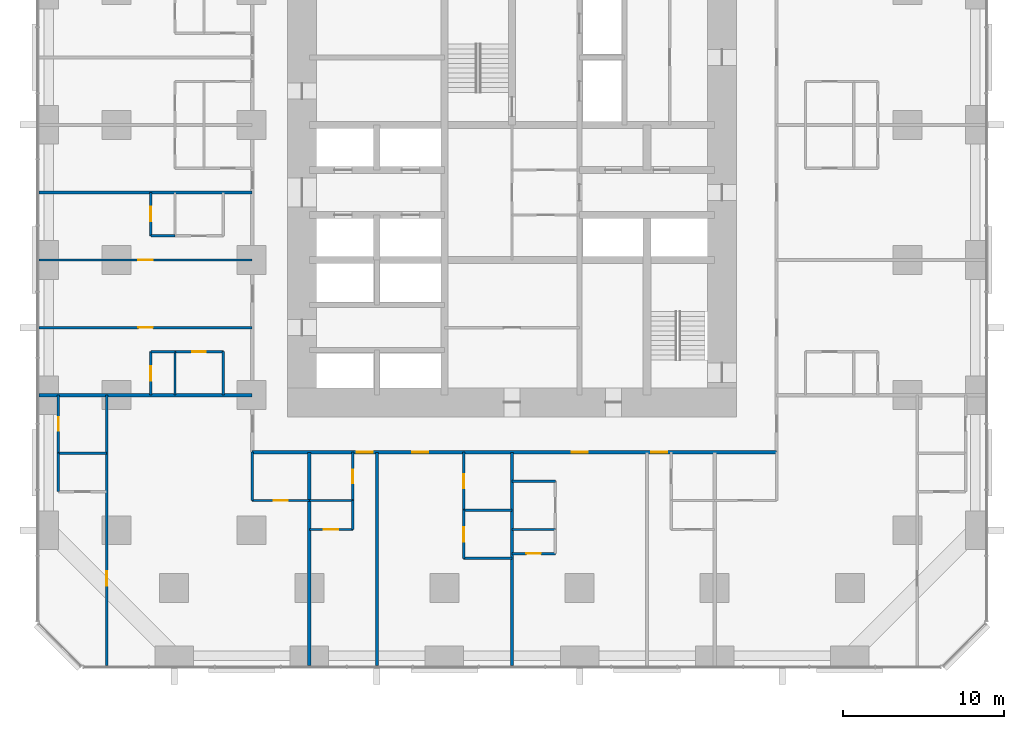
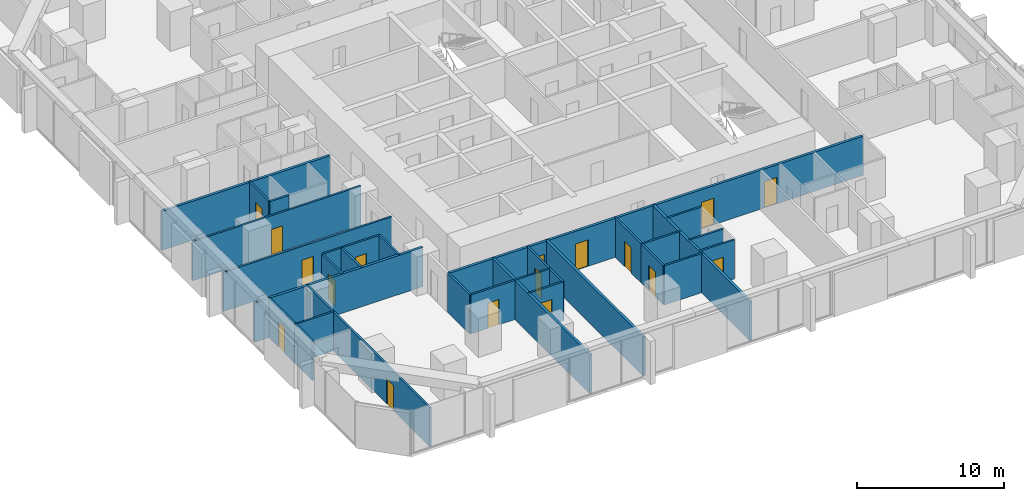
# One storey, part 11 of 17: 32 walls, 17 doors, 17 openings.
"""IFC4 building model written with IfcOpenShell, lengths in metres."""

from ifc_helpers import new_model, si_unit, direction, frame, frame_2d, origin, place, context, subcontext, project, spatial, rectangle, extrude, material, layer, layer_set, type_object, element, fill, save


model = new_model("IFC4")

# Units and contexts
model_context = context("Model", 3, precision=1e-05, world=origin(), true_north=direction((0.0, 1.0)))
body_context = subcontext(model_context, "Body", "Model", "MODEL_VIEW")
ifc_project = project(units=[si_unit("LENGTHUNIT", "METRE"), si_unit("AREAUNIT", "SQUARE_METRE"), si_unit("VOLUMEUNIT", "CUBIC_METRE"), si_unit("PLANEANGLEUNIT", "RADIAN"), si_unit("MASSUNIT", "GRAM", prefix="KILO")], contexts=[model_context])

# Site, building, storey
site_placement = place(None, origin())
site = spatial("IfcSite", under=ifc_project, at=site_placement, CompositionType="ELEMENT")
building_placement = place(site_placement, origin())
building = spatial("IfcBuilding", under=site, at=building_placement, Name="Dunama Terrace Hotel", CompositionType="ELEMENT")
storey_placement = place(building_placement, frame((0.0, 0.0, 37.800048828125)))
storey = spatial("IfcBuildingStorey", under=building, at=storey_placement, Name="L08", CompositionType="ELEMENT", Elevation=37.800048828125)

# Wall, opening, door
ifc_material_1 = material(Name="Gypsum board partition", Category="masonry")
ifc_layer_1 = layer(ifc_material_1, 0.14990234375)
ifc_layer_set_1 = layer_set([ifc_layer_1], Name="Bathroom partition 150")
wall_type_1 = type_object("IfcWallType", Name="Bathroom partition 150", PredefinedType="PARTITIONING", material=ifc_layer_set_1)
wall_1_placement = place(storey_placement, frame((1.199951171875, 13.199951171875, 0.0), z_axis=(0.0, 0.0, 1.0), x_axis=(0.0, 1.0, 0.0)))
wall_1 = element("IfcWall", 1, at=wall_1_placement, inside=storey, type_object=wall_type_1, Name="Bathroom partition 150 L08", PredefinedType="PARTITIONING", context=body_context, shape_type="SweptSolid", body=[
    extrude(rectangle(XDim=3.60009765625, YDim=0.14990234375, at=frame_2d((1.800048828125, 0.0))), origin(), (0.0, 0.0, 1.0), 3.25),
])
opening_1_placement = place(wall_1_placement, frame((1.375, 0.0, 0.0)))
opening_1 = element("IfcOpeningElement", 2, at=opening_1_placement, cuts=wall_1, Name="Opening L07-09-061", PredefinedType="OPENING", context=body_context, shape_type="SweptSolid", body=[
    extrude(rectangle(XDim=0.85009765625, YDim=2.10009765625, at=frame_2d((0.425048828125, 1.050048828125))), frame((0.0, 0.0849609375, 0.0), z_axis=(0.0, -1.0, 0.0), x_axis=(1.0, 0.0, 0.0)), (0.0, 0.0, 1.0), 0.169921875),
])
ifc_material_2 = material(Name="Timber door with steel frame", Category="steel")
door_type_1 = type_object("IfcDoorType", Name="Bathroom door 850", OperationType="SINGLE_SWING_LEFT", PredefinedType="DOOR", material=ifc_material_2)
door_1_placement = place(opening_1_placement, frame((0.85009765625, 0.0, 0.0), z_axis=(0.0, 0.0, 1.0), x_axis=(-1.0, 0.0, 0.0)))
door_1 = element("IfcDoor", 3, at=door_1_placement, inside=storey, type_object=door_type_1, Name="Door to en-suite bathroom L07-09-061, type D2", OperationType="SINGLE_SWING_LEFT", OverallHeight=2.10009765625, OverallWidth=0.85009765625, PredefinedType="DOOR", context=body_context, shape_type="SweptSolid", body=[
    extrude(rectangle(XDim=0.85009765625, YDim=2.10009765625, at=frame_2d((0.425048828125, 1.050048828125))), frame((0.0, 0.025146484375, 0.0), z_axis=(0.0, -1.0, 0.0), x_axis=(1.0, 0.0, 0.0)), (0.0, 0.0, 1.0), 0.050048828125),
])
fill(opening_1, door_1)

# Walls
wall_2_placement = place(storey_placement, frame((11.449951171875, 16.800048828125, 0.0), z_axis=(0.0, 0.0, 1.0), x_axis=(0.0, 1.0, 0.0)))
element("IfcWall", 4, at=wall_2_placement, inside=storey, type_object=wall_type_1, Name="Bathroom partition 150 L08", PredefinedType="PARTITIONING", context=body_context, shape_type="SweptSolid", body=[
    extrude(rectangle(XDim=2.699951171875, YDim=0.14990234375, at=frame_2d((1.35009765625, 0.0))), origin(), (0.0, 0.0, 1.0), 3.25),
])
wall_3_placement = place(storey_placement, frame((13.25, 10.25, 0.0), z_axis=(0.0, 0.0, 1.0), x_axis=(0.0, 1.0, 0.0)))
element("IfcWall", 5, at=wall_3_placement, inside=storey, type_object=wall_type_1, Name="Bathroom partition 150 L08", PredefinedType="PARTITIONING", context=body_context, shape_type="SweptSolid", body=[
    extrude(rectangle(XDim=3.0, YDim=0.14990234375, at=frame_2d((1.5, 0.0))), origin(), (0.0, 0.0, 1.0), 3.25),
])

# Wall, opening, door
wall_4_placement = place(storey_placement, frame((19.5, 10.25, 0.0), z_axis=(0.0, 0.0, 1.0), x_axis=(0.0, 1.0, 0.0)))
wall_4 = element("IfcWall", 6, at=wall_4_placement, inside=storey, type_object=wall_type_1, Name="Bathroom partition 150 L08", PredefinedType="PARTITIONING", context=body_context, shape_type="SweptSolid", body=[
    extrude(rectangle(XDim=3.0, YDim=0.14990234375, at=frame_2d((1.5, 0.0))), origin(), (0.0, 0.0, 1.0), 3.25),
])
opening_2_placement = place(wall_4_placement, frame((1.074951171875, 0.0, 0.0)))
opening_2 = element("IfcOpeningElement", 7, at=opening_2_placement, cuts=wall_4, Name="Opening L07-09-010", PredefinedType="OPENING", context=body_context, shape_type="SweptSolid", body=[
    extrude(rectangle(XDim=0.85009765625, YDim=2.10009765625, at=frame_2d((0.425048828125, 1.050048828125))), frame((0.0, 0.0849609375, 0.0), z_axis=(0.0, -1.0, 0.0), x_axis=(1.0, 0.0, 0.0)), (0.0, 0.0, 1.0), 0.169921875),
])
door_2_placement = place(opening_2_placement, origin())
door_2 = element("IfcDoor", 8, at=door_2_placement, inside=storey, type_object=door_type_1, Name="Door to en-suite bathroom L07-09-010, type D2", OperationType="SINGLE_SWING_RIGHT", OverallHeight=2.10009765625, OverallWidth=0.85009765625, PredefinedType="DOOR", context=body_context, shape_type="SweptSolid", body=[
    extrude(rectangle(XDim=0.85009765625, YDim=2.10009765625, at=frame_2d((0.425048828125, 1.050048828125))), frame((0.0, 0.02490234375, 0.0), z_axis=(0.0, -1.0, 0.0), x_axis=(1.0, 0.0, 0.0)), (0.0, 0.0, 1.0), 0.050048828125),
])
fill(opening_2, door_2)

wall_5_placement = place(storey_placement, frame((26.39990234375, 9.64990234375, 0.0), z_axis=(0.0, 0.0, 1.0), x_axis=(0.0, 1.0, 0.0)))
wall_5 = element("IfcWall", 9, at=wall_5_placement, inside=storey, type_object=wall_type_1, Name="Bathroom partition 150 L08", PredefinedType="PARTITIONING", context=body_context, shape_type="SweptSolid", body=[
    extrude(rectangle(XDim=3.60009765625, YDim=0.14990234375, at=frame_2d((1.800048828125, 0.0))), origin(), (0.0, 0.0, 1.0), 3.25),
])
opening_3_placement = place(wall_5_placement, frame((1.375, 0.0, 0.0)))
opening_3 = element("IfcOpeningElement", 10, at=opening_3_placement, cuts=wall_5, Name="Opening L07-09-013", PredefinedType="OPENING", context=body_context, shape_type="SweptSolid", body=[
    extrude(rectangle(XDim=0.85009765625, YDim=2.10009765625, at=frame_2d((0.425048828125, 1.050048828125))), frame((0.0, 0.0849609375, 0.0), z_axis=(0.0, -1.0, 0.0), x_axis=(1.0, 0.0, 0.0)), (0.0, 0.0, 1.0), 0.169921875),
])
door_3_placement = place(opening_3_placement, frame((0.85009765625, 0.0, 0.0), z_axis=(0.0, 0.0, 1.0), x_axis=(-1.0, 0.0, 0.0)))
door_3 = element("IfcDoor", 11, at=door_3_placement, inside=storey, type_object=door_type_1, Name="Door to en-suite bathroom L07-09-013, type D2", OperationType="SINGLE_SWING_LEFT", OverallHeight=2.10009765625, OverallWidth=0.85009765625, PredefinedType="DOOR", context=body_context, shape_type="SweptSolid", body=[
    extrude(rectangle(XDim=0.85009765625, YDim=2.10009765625, at=frame_2d((0.425048828125, 1.050048828125))), frame((0.0, 0.025146484375, 0.0), z_axis=(0.0, -1.0, 0.0), x_axis=(1.0, 0.0, 0.0)), (0.0, 0.0, 1.0), 0.050048828125),
])
fill(opening_3, door_3)

wall_6_placement = place(storey_placement, frame((13.25, 10.25, 0.0), z_axis=(0.0, 0.0, 1.0), x_axis=(1.0, 0.0, 0.0)))
wall_6 = element("IfcWall", 12, at=wall_6_placement, inside=storey, type_object=wall_type_1, Name="Bathroom partition 150 L08", PredefinedType="PARTITIONING", context=body_context, shape_type="SweptSolid", body=[
    extrude(rectangle(XDim=3.550048828125, YDim=0.14990234375, at=frame_2d((1.77490234375, 0.0))), origin(), (0.0, 0.0, 1.0), 3.25),
])
opening_4_placement = place(wall_6_placement, frame((1.35009765625, 0.0, 0.0)))
opening_4 = element("IfcOpeningElement", 13, at=opening_4_placement, cuts=wall_6, Name="Opening L07-09-059", PredefinedType="OPENING", context=body_context, shape_type="SweptSolid", body=[
    extrude(rectangle(XDim=0.85009765625, YDim=2.10009765625, at=frame_2d((0.425048828125, 1.050048828125))), frame((0.0, 0.0849609375, 0.0), z_axis=(0.0, -1.0, 0.0), x_axis=(1.0, 0.0, 0.0)), (0.0, 0.0, 1.0), 0.169921875),
])
door_4_placement = place(opening_4_placement, origin())
door_4 = element("IfcDoor", 14, at=door_4_placement, inside=storey, type_object=door_type_1, Name="Door to powder room L07-09-059, type D2", OperationType="SINGLE_SWING_LEFT", OverallHeight=2.10009765625, OverallWidth=0.85009765625, PredefinedType="DOOR", context=body_context, shape_type="SweptSolid", body=[
    extrude(rectangle(XDim=0.85009765625, YDim=2.10009765625, at=frame_2d((0.425048828125, 1.050048828125))), frame((0.0, 0.02490234375, 0.0), z_axis=(0.0, -1.0, 0.0), x_axis=(1.0, 0.0, 0.0)), (0.0, 0.0, 1.0), 0.050048828125),
])
fill(opening_4, door_4)

# Wall
wall_7_placement = place(storey_placement, frame((29.39990234375, 11.449951171875, 0.0), z_axis=(0.0, 0.0, 1.0), x_axis=(1.0, 0.0, 0.0)))
element("IfcWall", 15, at=wall_7_placement, inside=storey, type_object=wall_type_1, Name="Bathroom partition 150 L08", PredefinedType="PARTITIONING", context=body_context, shape_type="SweptSolid", body=[
    extrude(rectangle(XDim=2.7001953125, YDim=0.14990234375, at=frame_2d((1.35009765625, 0.0))), origin(), (0.0, 0.0, 1.0), 3.25),
])

# Wall, opening, door
wall_8_placement = place(storey_placement, frame((8.449951171875, 19.5, 0.0), z_axis=(0.0, 0.0, 1.0), x_axis=(1.0, 0.0, 0.0)))
wall_8 = element("IfcWall", 16, at=wall_8_placement, inside=storey, type_object=wall_type_1, Name="Bathroom partition 150 L08", PredefinedType="PARTITIONING", context=body_context, shape_type="SweptSolid", body=[
    extrude(rectangle(XDim=3.0, YDim=0.14990234375, at=frame_2d((1.5, 0.0))), origin(), (0.0, 0.0, 1.0), 3.25),
])
opening_5_placement = place(wall_8_placement, frame((1.074951171875, 0.0, 0.0)))
opening_5 = element("IfcOpeningElement", 17, at=opening_5_placement, cuts=wall_8, Name="Opening L07-09-044", PredefinedType="OPENING", context=body_context, shape_type="SweptSolid", body=[
    extrude(rectangle(XDim=0.85009765625, YDim=2.10009765625, at=frame_2d((0.425048828125, 1.050048828125))), frame((0.0, 0.0849609375, 0.0), z_axis=(0.0, -1.0, 0.0), x_axis=(1.0, 0.0, 0.0)), (0.0, 0.0, 1.0), 0.169921875),
])
door_5_placement = place(opening_5_placement, frame((0.85009765625, 0.0, 0.0), z_axis=(0.0, 0.0, 1.0), x_axis=(-1.0, 0.0, 0.0)))
door_5 = element("IfcDoor", 18, at=door_5_placement, inside=storey, type_object=door_type_1, Name="Door to en-suite bathroom L07-09-044, type D2", OperationType="SINGLE_SWING_RIGHT", OverallHeight=2.10009765625, OverallWidth=0.85009765625, PredefinedType="DOOR", context=body_context, shape_type="SweptSolid", body=[
    extrude(rectangle(XDim=0.85009765625, YDim=2.10009765625, at=frame_2d((0.425048828125, 1.050048828125))), frame((0.0, 0.025146484375, 0.0), z_axis=(0.0, -1.0, 0.0), x_axis=(1.0, 0.0, 0.0)), (0.0, 0.0, 1.0), 0.050048828125),
])
fill(opening_5, door_5)

# Wall, openings, doors
ifc_material_3 = material(Name="Concrete blockwork", Category="masonry")
ifc_layer_2 = layer(ifc_material_3, 0.199951171875)
ifc_layer_set_2 = layer_set([ifc_layer_2], Name="Corridor partition 200")
wall_type_2 = type_object("IfcWallType", Name="Corridor partition 200", PredefinedType="PARTITIONING", material=ifc_layer_set_2)
wall_9_placement = place(storey_placement, frame((45.85009765625, 13.25, 0.0), z_axis=(0.0, 0.0, 1.0), x_axis=(-1.0, 0.0, 0.0)))
wall_9 = element("IfcWall", 19, at=wall_9_placement, inside=storey, type_object=wall_type_2, Name="Corridor partition 200 L08", PredefinedType="PARTITIONING", context=body_context, shape_type="SweptSolid", body=[
    extrude(rectangle(XDim=32.60009765625, YDim=0.199951171875, at=frame_2d((16.300048828125, 0.0))), origin(), (0.0, 0.0, 1.0), 3.25),
])
opening_6_placement = place(wall_9_placement, frame((25.10009765625, 0.0, 0.0)))
opening_6 = element("IfcOpeningElement", 20, at=opening_6_placement, cuts=wall_9, Name="Opening L07-09-009", PredefinedType="OPENING", context=body_context, shape_type="SweptSolid", body=[
    extrude(rectangle(XDim=1.0, YDim=2.199951171875, at=frame_2d((0.5, 1.10009765625))), frame((0.0, 0.10986328125, 0.0), z_axis=(0.0, -1.0, 0.0), x_axis=(1.0, 0.0, 0.0)), (0.0, 0.0, 1.0), 0.219970703125),
])
opening_7_placement = place(wall_9_placement, frame((21.64990234375, 0.0, 0.0)))
opening_7 = element("IfcOpeningElement", 21, at=opening_7_placement, cuts=wall_9, Name="Opening L07-09-012", PredefinedType="OPENING", context=body_context, shape_type="SweptSolid", body=[
    extrude(rectangle(XDim=1.0, YDim=2.199951171875, at=frame_2d((0.5, 1.10009765625))), frame((0.0, 0.10986328125, 0.0), z_axis=(0.0, -1.0, 0.0), x_axis=(1.0, 0.0, 0.0)), (0.0, 0.0, 1.0), 0.219970703125),
])
opening_8_placement = place(wall_9_placement, frame((11.75, 0.0, 0.0)))
opening_8 = element("IfcOpeningElement", 22, at=opening_8_placement, cuts=wall_9, Name="Opening L07-09-015", PredefinedType="OPENING", context=body_context, shape_type="SweptSolid", body=[
    extrude(rectangle(XDim=1.0, YDim=2.199951171875, at=frame_2d((0.5, 1.10009765625))), frame((0.0, 0.10986328125, 0.0), z_axis=(0.0, -1.0, 0.0), x_axis=(1.0, 0.0, 0.0)), (0.0, 0.0, 1.0), 0.219970703125),
])
opening_9_placement = place(wall_9_placement, frame((6.800048828125, 0.0, 0.0)))
opening_9 = element("IfcOpeningElement", 23, at=opening_9_placement, cuts=wall_9, Name="Opening L07-09-018", PredefinedType="OPENING", context=body_context, shape_type="SweptSolid", body=[
    extrude(rectangle(XDim=1.0, YDim=2.199951171875, at=frame_2d((0.5, 1.10009765625))), frame((0.0, 0.10986328125, 0.0), z_axis=(0.0, -1.0, 0.0), x_axis=(1.0, 0.0, 0.0)), (0.0, 0.0, 1.0), 0.219970703125),
])
ifc_material_4 = material(Name="Timber door with steel frame", Category="steel")
door_type_2 = type_object("IfcDoorType", Name="Guest room door 1000", OperationType="SINGLE_SWING_LEFT", PredefinedType="DOOR", material=ifc_material_4)
door_6_placement = place(opening_6_placement, origin())
door_6 = element("IfcDoor", 24, at=door_6_placement, inside=storey, type_object=door_type_2, Name="Door to deluxe room L07-09-009, type D1", OperationType="SINGLE_SWING_LEFT", OverallHeight=2.199951171875, OverallWidth=1.0, PredefinedType="DOOR", context=body_context, shape_type="SweptSolid", body=[
    extrude(rectangle(XDim=1.0, YDim=2.199951171875, at=frame_2d((0.5, 1.10009765625))), frame((0.0, 0.02490234375, 0.0), z_axis=(0.0, -1.0, 0.0), x_axis=(1.0, 0.0, 0.0)), (0.0, 0.0, 1.0), 0.050048828125),
])
fill(opening_6, door_6)
door_7_placement = place(opening_7_placement, origin())
door_7 = element("IfcDoor", 25, at=door_7_placement, inside=storey, type_object=door_type_2, Name="Door to bridal suite L07-09-012, type D1", OperationType="SINGLE_SWING_RIGHT", OverallHeight=2.199951171875, OverallWidth=1.0, PredefinedType="DOOR", context=body_context, shape_type="SweptSolid", body=[
    extrude(rectangle(XDim=1.0, YDim=2.199951171875, at=frame_2d((0.5, 1.10009765625))), frame((0.0, 0.02490234375, 0.0), z_axis=(0.0, -1.0, 0.0), x_axis=(1.0, 0.0, 0.0)), (0.0, 0.0, 1.0), 0.050048828125),
])
fill(opening_7, door_7)
door_8_placement = place(opening_8_placement, origin())
door_8 = element("IfcDoor", 26, at=door_8_placement, inside=storey, type_object=door_type_2, Name="Door to junior suite L07-09-015, type D1", OperationType="SINGLE_SWING_RIGHT", OverallHeight=2.199951171875, OverallWidth=1.0, PredefinedType="DOOR", context=body_context, shape_type="SweptSolid", body=[
    extrude(rectangle(XDim=1.0, YDim=2.199951171875, at=frame_2d((0.5, 1.10009765625))), frame((0.0, 0.02490234375, 0.0), z_axis=(0.0, -1.0, 0.0), x_axis=(1.0, 0.0, 0.0)), (0.0, 0.0, 1.0), 0.050048828125),
])
fill(opening_8, door_8)
door_9_placement = place(opening_9_placement, origin())
door_9 = element("IfcDoor", 27, at=door_9_placement, inside=storey, type_object=door_type_2, Name="Door to deluxe room L07-09-018, type D1", OperationType="SINGLE_SWING_RIGHT", OverallHeight=2.199951171875, OverallWidth=1.0, PredefinedType="DOOR", context=body_context, shape_type="SweptSolid", body=[
    extrude(rectangle(XDim=1.0, YDim=2.199951171875, at=frame_2d((0.5, 1.10009765625))), frame((0.0, 0.02490234375, 0.0), z_axis=(0.0, -1.0, 0.0), x_axis=(1.0, 0.0, 0.0)), (0.0, 0.0, 1.0), 0.050048828125),
])
fill(opening_9, door_9)

# Walls
ifc_material_5 = material(Name="Concrete blockwork", Category="masonry")
ifc_layer_3 = layer(ifc_material_5, 0.199951171875)
ifc_layer_set_3 = layer_set([ifc_layer_3], Name="Party wall 200")
wall_type_3 = type_object("IfcWallType", Name="Party wall 200", PredefinedType="PARTITIONING", material=ifc_layer_set_3)
for number, where, z_axis, x_axis, name in (
    (28, (16.800048828125, -0.008056640625, 0.0), (0.0, 0.0, 1.0), (0.0, 1.0, 0.0), "Party wall 200 L08"),
    (29, (21.0, -0.008056640625, 0.0), (0.0, 0.0, 1.0), (0.0, 1.0, 0.0), "Party wall 200 L08"),
    (30, (29.39990234375, -0.008056640625, 0.0), (0.0, 0.0, 1.0), (0.0, 1.0, 0.0), "Party wall 200 L08"),
    (31, (-0.008056640625, 16.800048828125, 0.0), (0.0, 0.0, 1.0), (1.0, 0.0, 0.0), "Party wall 200 L08"),
    (32, (-0.008056640625, 29.39990234375, 0.0), (0.0, 0.0, 1.0), (1.0, 0.0, 0.0), "Party wall 200 L08"),
):
    element("IfcWall", number, at=place(storey_placement, frame(where, z_axis=z_axis, x_axis=x_axis)), inside=storey, type_object=wall_type_3, Name=name, PredefinedType="PARTITIONING", context=body_context, shape_type="SweptSolid", body=[
        extrude(rectangle(XDim=13.258056640625, YDim=0.199951171875, at=frame_2d((6.62890625, 0.0))), origin(), (0.0, 0.0, 1.0), 3.25),
    ])
ifc_material_6 = material(Name="Gypsum board partition", Category="masonry")
ifc_layer_4 = layer(ifc_material_6, 0.14990234375)
ifc_layer_set_4 = layer_set([ifc_layer_4], Name="Room partition 150")
wall_type_4 = type_object("IfcWallType", Name="Room partition 150", PredefinedType="PARTITIONING", material=ifc_layer_set_4)
wall_10_placement = place(storey_placement, frame((1.199951171875, 10.800048828125, 0.0), z_axis=(0.0, 0.0, 1.0), x_axis=(0.0, 1.0, 0.0)))
element("IfcWall", 33, at=wall_10_placement, inside=storey, type_object=wall_type_4, Name="Room partition 150 L08", PredefinedType="PARTITIONING", context=body_context, shape_type="SweptSolid", body=[
    extrude(rectangle(XDim=2.39990234375, YDim=0.14990234375, at=frame_2d((1.199951171875, 0.0))), origin(), (0.0, 0.0, 1.0), 3.25),
])

# Wall, opening, door
wall_11_placement = place(storey_placement, frame((4.199951171875, -0.008056640625, 0.0), z_axis=(0.0, 0.0, 1.0), x_axis=(0.0, 1.0, 0.0)))
wall_11 = element("IfcWall", 34, at=wall_11_placement, inside=storey, type_object=wall_type_4, Name="Room partition 150 L08", PredefinedType="PARTITIONING", context=body_context, shape_type="SweptSolid", body=[
    extrude(rectangle(XDim=16.80810546875, YDim=0.14990234375, at=frame_2d((8.404052734375, 0.0))), origin(), (0.0, 0.0, 1.0), 3.25),
])
opening_10_placement = place(wall_11_placement, frame((4.9580078125, 0.0, 0.0)))
opening_10 = element("IfcOpeningElement", 35, at=opening_10_placement, cuts=wall_11, Name="Opening L07-09-060", PredefinedType="OPENING", context=body_context, shape_type="SweptSolid", body=[
    extrude(rectangle(XDim=0.89990234375, YDim=2.10009765625, at=frame_2d((0.449951171875, 1.050048828125))), frame((0.0, 0.0849609375, 0.0), z_axis=(0.0, -1.0, 0.0), x_axis=(1.0, 0.0, 0.0)), (0.0, 0.0, 1.0), 0.169921875),
])
ifc_material_7 = material(Name="Timber door with steel frame", Category="steel")
door_type_3 = type_object("IfcDoorType", Name="Suite internal door 900", OperationType="SINGLE_SWING_LEFT", PredefinedType="DOOR", material=ifc_material_7)
door_10_placement = place(opening_10_placement, origin())
door_10 = element("IfcDoor", 36, at=door_10_placement, inside=storey, type_object=door_type_3, Name="Door to corner suite bedroom L07-09-060, type D16", OperationType="SINGLE_SWING_RIGHT", OverallHeight=2.10009765625, OverallWidth=0.89990234375, PredefinedType="DOOR", context=body_context, shape_type="SweptSolid", body=[
    extrude(rectangle(XDim=0.89990234375, YDim=2.10009765625, at=frame_2d((0.449951171875, 1.050048828125))), frame((0.0, 0.02490234375, 0.0), z_axis=(0.0, -1.0, 0.0), x_axis=(1.0, 0.0, 0.0)), (0.0, 0.0, 1.0), 0.050048828125),
])
fill(opening_10, door_10)

wall_12_placement = place(storey_placement, frame((6.949951171875, 16.800048828125, 0.0), z_axis=(0.0, 0.0, 1.0), x_axis=(0.0, 1.0, 0.0)))
wall_12 = element("IfcWall", 37, at=wall_12_placement, inside=storey, type_object=wall_type_4, Name="Room partition 150 L08", PredefinedType="PARTITIONING", context=body_context, shape_type="SweptSolid", body=[
    extrude(rectangle(XDim=2.699951171875, YDim=0.14990234375, at=frame_2d((1.35009765625, 0.0))), origin(), (0.0, 0.0, 1.0), 3.25),
])
opening_11_placement = place(wall_12_placement, frame((0.89990234375, 0.0, 0.0)))
opening_11 = element("IfcOpeningElement", 38, at=opening_11_placement, cuts=wall_12, Name="Opening L07-09-045", PredefinedType="OPENING", context=body_context, shape_type="SweptSolid", body=[
    extrude(rectangle(XDim=0.89990234375, YDim=2.10009765625, at=frame_2d((0.449951171875, 1.050048828125))), frame((0.0, 0.0849609375, 0.0), z_axis=(0.0, -1.0, 0.0), x_axis=(1.0, 0.0, 0.0)), (0.0, 0.0, 1.0), 0.169921875),
])
door_11_placement = place(opening_11_placement, frame((0.89990234375, 0.0, 0.0), z_axis=(0.0, 0.0, 1.0), x_axis=(-1.0, 0.0, 0.0)))
door_11 = element("IfcDoor", 39, at=door_11_placement, inside=storey, type_object=door_type_3, Name="Door to walk-in wardrobe L07-09-045, type D16", OperationType="SINGLE_SWING_RIGHT", OverallHeight=2.10009765625, OverallWidth=0.89990234375, PredefinedType="DOOR", context=body_context, shape_type="SweptSolid", body=[
    extrude(rectangle(XDim=0.89990234375, YDim=2.10009765625, at=frame_2d((0.449951171875, 1.050048828125))), frame((0.0, 0.025146484375, 0.0), z_axis=(0.0, -1.0, 0.0), x_axis=(1.0, 0.0, 0.0)), (0.0, 0.0, 1.0), 0.050048828125),
])
fill(opening_11, door_11)

wall_13_placement = place(storey_placement, frame((6.949951171875, 26.699951171875, 0.0), z_axis=(0.0, 0.0, 1.0), x_axis=(0.0, 1.0, 0.0)))
wall_13 = element("IfcWall", 40, at=wall_13_placement, inside=storey, type_object=wall_type_4, Name="Room partition 150 L08", PredefinedType="PARTITIONING", context=body_context, shape_type="SweptSolid", body=[
    extrude(rectangle(XDim=2.699951171875, YDim=0.14990234375, at=frame_2d((1.35009765625, 0.0))), origin(), (0.0, 0.0, 1.0), 3.25),
])
opening_12_placement = place(wall_13_placement, frame((0.89990234375, 0.0, 0.0)))
opening_12 = element("IfcOpeningElement", 41, at=opening_12_placement, cuts=wall_13, Name="Opening L07-09-048", PredefinedType="OPENING", context=body_context, shape_type="SweptSolid", body=[
    extrude(rectangle(XDim=0.89990234375, YDim=2.10009765625, at=frame_2d((0.449951171875, 1.050048828125))), frame((0.0, 0.0849609375, 0.0), z_axis=(0.0, -1.0, 0.0), x_axis=(1.0, 0.0, 0.0)), (0.0, 0.0, 1.0), 0.169921875),
])
door_12_placement = place(opening_12_placement, frame((0.89990234375, 0.0, 0.0), z_axis=(0.0, 0.0, 1.0), x_axis=(-1.0, 0.0, 0.0)))
door_12 = element("IfcDoor", 42, at=door_12_placement, inside=storey, type_object=door_type_3, Name="Door to walk-in wardrobe L07-09-048, type D16", OperationType="SINGLE_SWING_RIGHT", OverallHeight=2.10009765625, OverallWidth=0.89990234375, PredefinedType="DOOR", context=body_context, shape_type="SweptSolid", body=[
    extrude(rectangle(XDim=0.89990234375, YDim=2.10009765625, at=frame_2d((0.449951171875, 1.050048828125))), frame((0.0, 0.025146484375, 0.0), z_axis=(0.0, -1.0, 0.0), x_axis=(1.0, 0.0, 0.0)), (0.0, 0.0, 1.0), 0.050048828125),
])
fill(opening_12, door_12)

# Walls
wall_14_placement = place(storey_placement, frame((8.449951171875, 16.800048828125, 0.0), z_axis=(0.0, 0.0, 1.0), x_axis=(0.0, 1.0, 0.0)))
element("IfcWall", 43, at=wall_14_placement, inside=storey, type_object=wall_type_4, Name="Room partition 150 L08", PredefinedType="PARTITIONING", context=body_context, shape_type="SweptSolid", body=[
    extrude(rectangle(XDim=2.699951171875, YDim=0.14990234375, at=frame_2d((1.35009765625, 0.0))), origin(), (0.0, 0.0, 1.0), 3.25),
])
wall_15_placement = place(storey_placement, frame((19.5, 8.449951171875, 0.0), z_axis=(0.0, 0.0, 1.0), x_axis=(0.0, 1.0, 0.0)))
element("IfcWall", 44, at=wall_15_placement, inside=storey, type_object=wall_type_4, Name="Room partition 150 L08", PredefinedType="PARTITIONING", context=body_context, shape_type="SweptSolid", body=[
    extrude(rectangle(XDim=1.800048828125, YDim=0.14990234375, at=frame_2d((0.89990234375, 0.0))), origin(), (0.0, 0.0, 1.0), 3.25),
])

# Wall, opening, door
wall_16_placement = place(storey_placement, frame((26.39990234375, 6.64990234375, 0.0), z_axis=(0.0, 0.0, 1.0), x_axis=(0.0, 1.0, 0.0)))
wall_16 = element("IfcWall", 45, at=wall_16_placement, inside=storey, type_object=wall_type_4, Name="Room partition 150 L08", PredefinedType="PARTITIONING", context=body_context, shape_type="SweptSolid", body=[
    extrude(rectangle(XDim=3.0, YDim=0.14990234375, at=frame_2d((1.5, 0.0))), origin(), (0.0, 0.0, 1.0), 3.25),
])
opening_13_placement = place(wall_16_placement, frame((1.050048828125, 0.0, 0.0)))
opening_13 = element("IfcOpeningElement", 46, at=opening_13_placement, cuts=wall_16, Name="Opening L07-09-014", PredefinedType="OPENING", context=body_context, shape_type="SweptSolid", body=[
    extrude(rectangle(XDim=0.89990234375, YDim=2.10009765625, at=frame_2d((0.449951171875, 1.050048828125))), frame((0.0, 0.0849609375, 0.0), z_axis=(0.0, -1.0, 0.0), x_axis=(1.0, 0.0, 0.0)), (0.0, 0.0, 1.0), 0.169921875),
])
door_13_placement = place(opening_13_placement, frame((0.89990234375, 0.0, 0.0), z_axis=(0.0, 0.0, 1.0), x_axis=(-1.0, 0.0, 0.0)))
door_13 = element("IfcDoor", 47, at=door_13_placement, inside=storey, type_object=door_type_3, Name="Door to bridal dressing room L07-09-014, type D16", OperationType="SINGLE_SWING_RIGHT", OverallHeight=2.10009765625, OverallWidth=0.89990234375, PredefinedType="DOOR", context=body_context, shape_type="SweptSolid", body=[
    extrude(rectangle(XDim=0.89990234375, YDim=2.10009765625, at=frame_2d((0.449951171875, 1.050048828125))), frame((0.0, 0.025146484375, 0.0), z_axis=(0.0, -1.0, 0.0), x_axis=(1.0, 0.0, 0.0)), (0.0, 0.0, 1.0), 0.050048828125),
])
fill(opening_13, door_13)

# Wall
wall_17_placement = place(storey_placement, frame((26.39990234375, 6.64990234375, 0.0), z_axis=(0.0, 0.0, 1.0), x_axis=(1.0, 0.0, 0.0)))
element("IfcWall", 48, at=wall_17_placement, inside=storey, type_object=wall_type_4, Name="Room partition 150 L08", PredefinedType="PARTITIONING", context=body_context, shape_type="SweptSolid", body=[
    extrude(rectangle(XDim=3.0, YDim=0.14990234375, at=frame_2d((1.5, 0.0))), origin(), (0.0, 0.0, 1.0), 3.25),
])

# Wall, opening, door
wall_18_placement = place(storey_placement, frame((29.39990234375, 6.949951171875, 0.0), z_axis=(0.0, 0.0, 1.0), x_axis=(1.0, 0.0, 0.0)))
wall_18 = element("IfcWall", 49, at=wall_18_placement, inside=storey, type_object=wall_type_4, Name="Room partition 150 L08", PredefinedType="PARTITIONING", context=body_context, shape_type="SweptSolid", body=[
    extrude(rectangle(XDim=2.7001953125, YDim=0.14990234375, at=frame_2d((1.35009765625, 0.0))), origin(), (0.0, 0.0, 1.0), 3.25),
])
opening_14_placement = place(wall_18_placement, frame((0.89990234375, 0.0, 0.0)))
opening_14 = element("IfcOpeningElement", 50, at=opening_14_placement, cuts=wall_18, Name="Opening L07-09-017", PredefinedType="OPENING", context=body_context, shape_type="SweptSolid", body=[
    extrude(rectangle(XDim=0.89990234375, YDim=2.10009765625, at=frame_2d((0.449951171875, 1.050048828125))), frame((0.0, 0.0849609375, 0.0), z_axis=(0.0, -1.0, 0.0), x_axis=(1.0, 0.0, 0.0)), (0.0, 0.0, 1.0), 0.169921875),
])
door_14_placement = place(opening_14_placement, origin())
door_14 = element("IfcDoor", 51, at=door_14_placement, inside=storey, type_object=door_type_3, Name="Door to walk-in wardrobe L07-09-017, type D16", OperationType="SINGLE_SWING_LEFT", OverallHeight=2.10009765625, OverallWidth=0.89990234375, PredefinedType="DOOR", context=body_context, shape_type="SweptSolid", body=[
    extrude(rectangle(XDim=0.89990234375, YDim=2.10009765625, at=frame_2d((0.449951171875, 1.050048828125))), frame((0.0, 0.02490234375, 0.0), z_axis=(0.0, -1.0, 0.0), x_axis=(1.0, 0.0, 0.0)), (0.0, 0.0, 1.0), 0.050048828125),
])
fill(opening_14, door_14)

wall_19_placement = place(storey_placement, frame((16.800048828125, 8.449951171875, 0.0), z_axis=(0.0, 0.0, 1.0), x_axis=(1.0, 0.0, 0.0)))
wall_19 = element("IfcWall", 52, at=wall_19_placement, inside=storey, type_object=wall_type_4, Name="Room partition 150 L08", PredefinedType="PARTITIONING", context=body_context, shape_type="SweptSolid", body=[
    extrude(rectangle(XDim=2.699951171875, YDim=0.14990234375, at=frame_2d((1.35009765625, 0.0))), origin(), (0.0, 0.0, 1.0), 3.25),
])
opening_15_placement = place(wall_19_placement, frame((0.89990234375, 0.0, 0.0)))
opening_15 = element("IfcOpeningElement", 53, at=opening_15_placement, cuts=wall_19, Name="Opening L07-09-011", PredefinedType="OPENING", context=body_context, shape_type="SweptSolid", body=[
    extrude(rectangle(XDim=0.89990234375, YDim=2.10009765625, at=frame_2d((0.449951171875, 1.050048828125))), frame((0.0, 0.0849609375, 0.0), z_axis=(0.0, -1.0, 0.0), x_axis=(1.0, 0.0, 0.0)), (0.0, 0.0, 1.0), 0.169921875),
])
door_15_placement = place(opening_15_placement, origin())
door_15 = element("IfcDoor", 54, at=door_15_placement, inside=storey, type_object=door_type_3, Name="Door to walk-in wardrobe L07-09-011, type D16", OperationType="SINGLE_SWING_LEFT", OverallHeight=2.10009765625, OverallWidth=0.89990234375, PredefinedType="DOOR", context=body_context, shape_type="SweptSolid", body=[
    extrude(rectangle(XDim=0.89990234375, YDim=2.10009765625, at=frame_2d((0.449951171875, 1.050048828125))), frame((0.0, 0.02490234375, 0.0), z_axis=(0.0, -1.0, 0.0), x_axis=(1.0, 0.0, 0.0)), (0.0, 0.0, 1.0), 0.050048828125),
])
fill(opening_15, door_15)

# Walls
wall_20_placement = place(storey_placement, frame((29.39990234375, 8.449951171875, 0.0), z_axis=(0.0, 0.0, 1.0), x_axis=(1.0, 0.0, 0.0)))
element("IfcWall", 55, at=wall_20_placement, inside=storey, type_object=wall_type_4, Name="Room partition 150 L08", PredefinedType="PARTITIONING", context=body_context, shape_type="SweptSolid", body=[
    extrude(rectangle(XDim=2.7001953125, YDim=0.14990234375, at=frame_2d((1.35009765625, 0.0))), origin(), (0.0, 0.0, 1.0), 3.25),
])
wall_21_placement = place(storey_placement, frame((26.39990234375, 9.64990234375, 0.0), z_axis=(0.0, 0.0, 1.0), x_axis=(1.0, 0.0, 0.0)))
element("IfcWall", 56, at=wall_21_placement, inside=storey, type_object=wall_type_4, Name="Room partition 150 L08", PredefinedType="PARTITIONING", context=body_context, shape_type="SweptSolid", body=[
    extrude(rectangle(XDim=3.0, YDim=0.14990234375, at=frame_2d((1.5, 0.0))), origin(), (0.0, 0.0, 1.0), 3.25),
])
wall_22_placement = place(storey_placement, frame((16.800048828125, 10.25, 0.0), z_axis=(0.0, 0.0, 1.0), x_axis=(1.0, 0.0, 0.0)))
element("IfcWall", 57, at=wall_22_placement, inside=storey, type_object=wall_type_4, Name="Room partition 150 L08", PredefinedType="PARTITIONING", context=body_context, shape_type="SweptSolid", body=[
    extrude(rectangle(XDim=2.699951171875, YDim=0.14990234375, at=frame_2d((1.35009765625, 0.0))), origin(), (0.0, 0.0, 1.0), 3.25),
])
wall_23_placement = place(storey_placement, frame((1.199951171875, 13.199951171875, 0.0), z_axis=(0.0, 0.0, 1.0), x_axis=(1.0, 0.0, 0.0)))
element("IfcWall", 58, at=wall_23_placement, inside=storey, type_object=wall_type_4, Name="Room partition 150 L08", PredefinedType="PARTITIONING", context=body_context, shape_type="SweptSolid", body=[
    extrude(rectangle(XDim=3.0, YDim=0.14990234375, at=frame_2d((1.5, 0.0))), origin(), (0.0, 0.0, 1.0), 3.25),
])
wall_24_placement = place(storey_placement, frame((6.949951171875, 19.5, 0.0), z_axis=(0.0, 0.0, 1.0), x_axis=(1.0, 0.0, 0.0)))
element("IfcWall", 59, at=wall_24_placement, inside=storey, type_object=wall_type_4, Name="Room partition 150 L08", PredefinedType="PARTITIONING", context=body_context, shape_type="SweptSolid", body=[
    extrude(rectangle(XDim=1.5, YDim=0.14990234375, at=frame_2d((0.75, 0.0))), origin(), (0.0, 0.0, 1.0), 3.25),
])

# Wall, opening, door
wall_25_placement = place(storey_placement, frame((-0.008056640625, 21.0, 0.0), z_axis=(0.0, 0.0, 1.0), x_axis=(1.0, 0.0, 0.0)))
wall_25 = element("IfcWall", 60, at=wall_25_placement, inside=storey, type_object=wall_type_4, Name="Room partition 150 L08", PredefinedType="PARTITIONING", context=body_context, shape_type="SweptSolid", body=[
    extrude(rectangle(XDim=13.258056640625, YDim=0.14990234375, at=frame_2d((6.62890625, 0.0))), origin(), (0.0, 0.0, 1.0), 3.25),
])
opening_16_placement = place(wall_25_placement, frame((6.18310546875, 0.0, 0.0)))
opening_16 = element("IfcOpeningElement", 61, at=opening_16_placement, cuts=wall_25, Name="Opening L07-09-043", PredefinedType="OPENING", context=body_context, shape_type="SweptSolid", body=[
    extrude(rectangle(XDim=0.89990234375, YDim=2.10009765625, at=frame_2d((0.449951171875, 1.050048828125))), frame((0.0, 0.0849609375, 0.0), z_axis=(0.0, -1.0, 0.0), x_axis=(1.0, 0.0, 0.0)), (0.0, 0.0, 1.0), 0.169921875),
])
door_16_placement = place(opening_16_placement, frame((0.89990234375, 0.0, 0.0), z_axis=(0.0, 0.0, 1.0), x_axis=(-1.0, 0.0, 0.0)))
door_16 = element("IfcDoor", 62, at=door_16_placement, inside=storey, type_object=door_type_3, Name="Door to family suite bedroom L07-09-043, type D16", OperationType="SINGLE_SWING_LEFT", OverallHeight=2.10009765625, OverallWidth=0.89990234375, PredefinedType="DOOR", context=body_context, shape_type="SweptSolid", body=[
    extrude(rectangle(XDim=0.89990234375, YDim=2.10009765625, at=frame_2d((0.449951171875, 1.050048828125))), frame((0.0, 0.025146484375, 0.0), z_axis=(0.0, -1.0, 0.0), x_axis=(1.0, 0.0, 0.0)), (0.0, 0.0, 1.0), 0.050048828125),
])
fill(opening_16, door_16)

wall_26_placement = place(storey_placement, frame((-0.008056640625, 25.199951171875, 0.0), z_axis=(0.0, 0.0, 1.0), x_axis=(1.0, 0.0, 0.0)))
wall_26 = element("IfcWall", 63, at=wall_26_placement, inside=storey, type_object=wall_type_4, Name="Room partition 150 L08", PredefinedType="PARTITIONING", context=body_context, shape_type="SweptSolid", body=[
    extrude(rectangle(XDim=13.258056640625, YDim=0.14990234375, at=frame_2d((6.62890625, 0.0))), origin(), (0.0, 0.0, 1.0), 3.25),
])
opening_17_placement = place(wall_26_placement, frame((6.18310546875, 0.0, 0.0)))
opening_17 = element("IfcOpeningElement", 64, at=opening_17_placement, cuts=wall_26, Name="Opening L07-09-046", PredefinedType="OPENING", context=body_context, shape_type="SweptSolid", body=[
    extrude(rectangle(XDim=0.89990234375, YDim=2.10009765625, at=frame_2d((0.449951171875, 1.050048828125))), frame((0.0, 0.0849609375, 0.0), z_axis=(0.0, -1.0, 0.0), x_axis=(1.0, 0.0, 0.0)), (0.0, 0.0, 1.0), 0.169921875),
])
door_17_placement = place(opening_17_placement, origin())
door_17 = element("IfcDoor", 65, at=door_17_placement, inside=storey, type_object=door_type_3, Name="Door to family suite second bedroom L07-09-046, type D16", OperationType="SINGLE_SWING_LEFT", OverallHeight=2.10009765625, OverallWidth=0.89990234375, PredefinedType="DOOR", context=body_context, shape_type="SweptSolid", body=[
    extrude(rectangle(XDim=0.89990234375, YDim=2.10009765625, at=frame_2d((0.449951171875, 1.050048828125))), frame((0.0, 0.02490234375, 0.0), z_axis=(0.0, -1.0, 0.0), x_axis=(1.0, 0.0, 0.0)), (0.0, 0.0, 1.0), 0.050048828125),
])
fill(opening_17, door_17)

# Wall
wall_27_placement = place(storey_placement, frame((6.949951171875, 26.699951171875, 0.0), z_axis=(0.0, 0.0, 1.0), x_axis=(1.0, 0.0, 0.0)))
element("IfcWall", 66, at=wall_27_placement, inside=storey, type_object=wall_type_4, Name="Room partition 150 L08", PredefinedType="PARTITIONING", context=body_context, shape_type="SweptSolid", body=[
    extrude(rectangle(XDim=1.5, YDim=0.14990234375, at=frame_2d((0.75, 0.0))), origin(), (0.0, 0.0, 1.0), 3.25),
])

save(model, "model.ifc")
